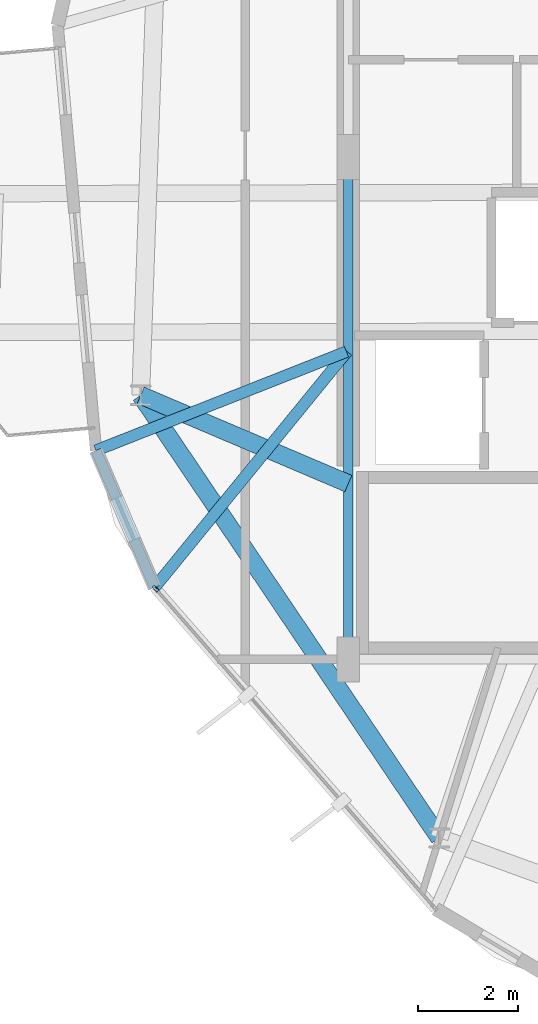
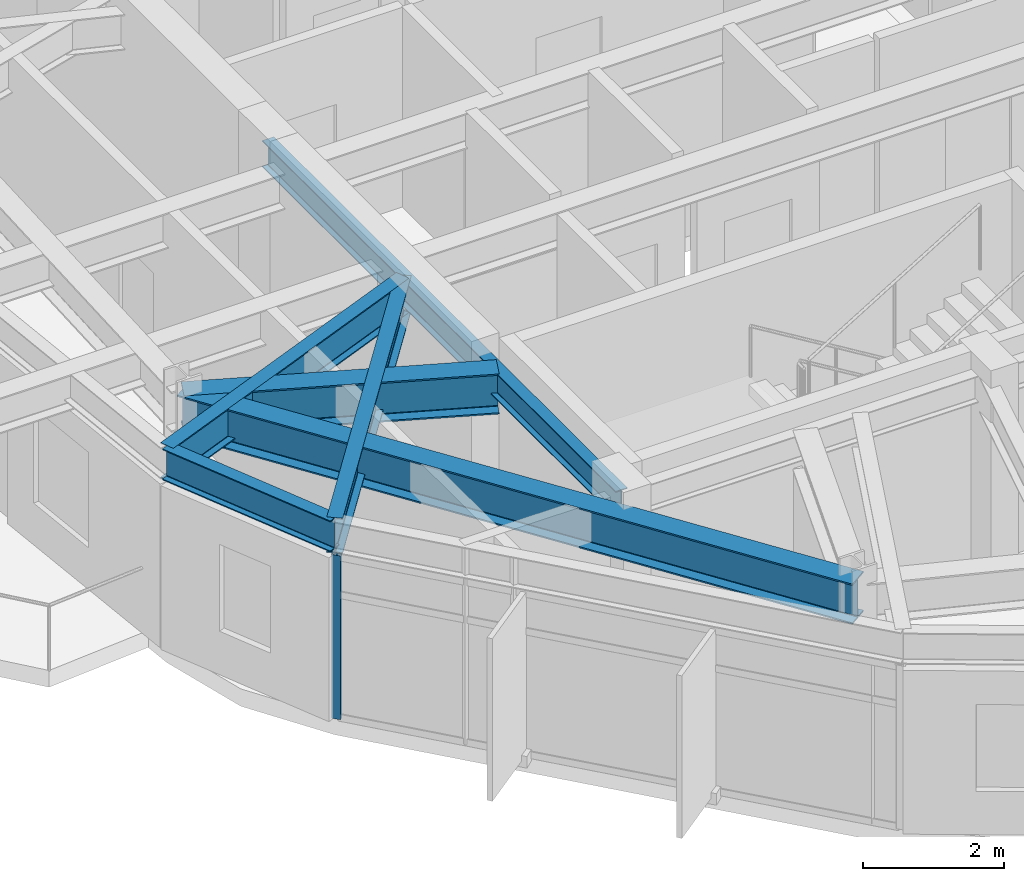
# One storey, part 3 of 23: 6 beams, 1 member, 1 element without a shape of its own.
"""IFC4 building model written with IfcOpenShell, lengths in metres."""

from ifc_helpers import new_model, si_unit, direction, frame, origin, origin_2d, place, context, subcontext, project, spatial, hollow_rectangle, i_section, extrude, material, layer, layer_set, material_profile, profile_set, type_object, element, aggregate, save


model = new_model("IFC4")

# Units and contexts
model_context = context("Model", 3, precision=1e-05, world=origin(), true_north=direction((0.0, 1.0)))
body_context = subcontext(model_context, "Body", "Model", "MODEL_VIEW")
ifc_project = project(units=[si_unit("LENGTHUNIT", "METRE"), si_unit("AREAUNIT", "SQUARE_METRE"), si_unit("VOLUMEUNIT", "CUBIC_METRE"), si_unit("PLANEANGLEUNIT", "RADIAN"), si_unit("MASSUNIT", "GRAM", prefix="KILO")], contexts=[model_context])

# Site, building, storey
site_placement = place(None, origin())
site = spatial("IfcSite", under=ifc_project, at=site_placement, CompositionType="ELEMENT")
building_placement = place(site_placement, origin())
building = spatial("IfcBuilding", under=site, at=building_placement, Name="Soratama Intermodal Tower", CompositionType="ELEMENT")
storey_placement = place(building_placement, frame((0.0, 0.0, 250.0)))
storey = spatial("IfcBuildingStorey", under=building, at=storey_placement, Name="L63", CompositionType="ELEMENT", Elevation=250.0)

# Beams
ifc_material_1 = material(Name="Structural steel ASTM A992 Grade 50", Category="steel")
ifc_material_profile_1 = material_profile(ifc_material_1, i_section(OverallWidth=0.19091796875, OverallDepth=0.4599609375, WebThickness=0.010009765625, FlangeThickness=0.01611328125, FilletRadius=0.010986328125, at=origin_2d()), Name="W18X55")
ifc_profile_set_1 = profile_set([ifc_material_profile_1], Name="Structural steel ASTM A992 Grade 50")
beam_type_1 = type_object("IfcBeamType", Name="BM-FLR-W18X55", PredefinedType="BEAM", material=ifc_profile_set_1)
beam_1_placement = place(storey_placement, frame((32.60009765625, 25.0, 3.219970703125), z_axis=(0.0, -1.0, 0.0), x_axis=(1.0, 0.0, 0.0)))
element("IfcBeam", 1, at=beam_1_placement, inside=storey, type_object=beam_type_1, Name="BM-L63-CRING-09", PredefinedType="BEAM", context=body_context, shape_type="SweptSolid", body=[
    extrude(i_section(OverallWidth=0.19091796875, OverallDepth=0.4599609375, WebThickness=0.010009765625, FlangeThickness=0.01611328125, FilletRadius=0.010986328125, at=origin_2d()), origin(), (0.0, 0.0, 1.0), 10.0),
])
ifc_material_2 = material(Name="Structural steel ASTM A992 Grade 50", Category="steel")
ifc_material_profile_2 = material_profile(ifc_material_2, i_section(OverallWidth=0.35498046875, OverallDepth=0.695068359375, WebThickness=0.015380859375, FlangeThickness=0.02490234375, FilletRadius=0.01611328125, at=origin_2d()), Name="W27X146")
ifc_profile_set_2 = profile_set([ifc_material_profile_2], Name="Structural steel ASTM A992 Grade 50")
beam_type_2 = type_object("IfcBeamType", Name="BM-RING-W27X146", PredefinedType="BEAM", material=ifc_profile_set_2)
beam_2_placement = place(storey_placement, frame((28.466064453125, 20.259033203125, 3.1025390625), z_axis=(0.559218025165, -0.829020627204, 0.0), x_axis=(0.829020627204, 0.559218025165, 0.0)))
element("IfcBeam", 2, at=beam_2_placement, inside=storey, type_object=beam_type_2, Name="BM-L63-RING-06", PredefinedType="BEAM", context=body_context, shape_type="SweptSolid", body=[
    extrude(i_section(OverallWidth=0.35498046875, OverallDepth=0.695068359375, WebThickness=0.015380859375, FlangeThickness=0.02490234375, FilletRadius=0.01611328125, at=origin_2d()), origin(), (0.0, 0.0, 1.0), 10.630615234375),
])
beam_3_placement = place(storey_placement, frame((32.60009765625, 18.5, 3.1025390625), z_axis=(-0.920165049547, 0.391530690485, 0.0), x_axis=(-0.391530690485, -0.920165049547, 0.0)))
element("IfcBeam", 3, at=beam_3_placement, inside=storey, type_object=beam_type_2, Name="BM-L63-RAD-06", PredefinedType="BEAM", context=body_context, shape_type="SweptSolid", body=[
    extrude(i_section(OverallWidth=0.35498046875, OverallDepth=0.695068359375, WebThickness=0.015380859375, FlangeThickness=0.02490234375, FilletRadius=0.01611328125, at=origin_2d()), origin(), (0.0, 0.0, 1.0), 4.49267578125),
])
ifc_material_3 = material(Name="Structural steel ASTM A992 Grade 50", Category="steel")
ifc_material_profile_3 = material_profile(ifc_material_3, i_section(OverallWidth=0.2099609375, OverallDepth=0.537109375, WebThickness=0.010986328125, FlangeThickness=0.017333984375, FilletRadius=0.012939453125, at=origin_2d()), Name="W21X68")
ifc_profile_set_3 = profile_set([ifc_material_profile_3], Name="Structural steel ASTM A992 Grade 50")
beam_type_3 = type_object("IfcBeamType", Name="BM-SPN-W21X68", PredefinedType="SPANDREL", material=ifc_profile_set_3)
beam_4_placement = place(storey_placement, frame((27.574951171875, 19.158935546875, 3.181396484375), z_axis=(0.393422567073, -0.919357756109, 0.0), x_axis=(0.919357756109, 0.393422567073, 0.0)))
element("IfcBeam", 4, at=beam_4_placement, inside=storey, type_object=beam_type_3, Name="BS-L63-CRN04", PredefinedType="SPANDREL", context=body_context, shape_type="SweptSolid", body=[
    extrude(i_section(OverallWidth=0.2099609375, OverallDepth=0.537109375, WebThickness=0.010986328125, FlangeThickness=0.017333984375, FilletRadius=0.012939453125, at=origin_2d()), origin(), (0.0, 0.0, 1.0), 2.96630859375),
])
ifc_material_4 = material(Name="Structural steel ASTM A992 Grade 50", Category="steel")
ifc_material_profile_4 = material_profile(ifc_material_4, i_section(OverallWidth=0.22900390625, OverallDepth=0.612060546875, WebThickness=0.011962890625, FlangeThickness=0.01953125, FilletRadius=0.012939453125, at=origin_2d()), Name="W24X84")
ifc_profile_set_4 = profile_set([ifc_material_profile_4], Name="Structural steel ASTM A992 Grade 50")
beam_type_4 = type_object("IfcBeamType", Name="BM-TIE-W24X84", PredefinedType="BEAM", material=ifc_profile_set_4)
beam_5_placement = place(storey_placement, frame((32.56298828125, 21.126953125, 3.14404296875), z_axis=(-0.930215360305, -0.367014146122, 0.0), x_axis=(0.367014146122, -0.930215360305, 0.0)))
element("IfcBeam", 5, at=beam_5_placement, inside=storey, type_object=beam_type_4, Name="BM-L63-TIE1-04", PredefinedType="BEAM", context=body_context, shape_type="SweptSolid", body=[
    extrude(i_section(OverallWidth=0.22900390625, OverallDepth=0.612060546875, WebThickness=0.011962890625, FlangeThickness=0.01953125, FilletRadius=0.012939453125, at=origin_2d()), origin(), (0.0, 0.0, 1.0), 5.3623046875),
])
beam_6_placement = place(storey_placement, frame((32.574951171875, 21.1298828125, 3.14404296875), z_axis=(-0.632169352763, -0.774830245555, 0.0), x_axis=(0.774830245555, -0.632169352763, 0.0)))
element("IfcBeam", 6, at=beam_6_placement, inside=storey, type_object=beam_type_4, Name="BM-L63-TIE0-05", PredefinedType="BEAM", context=body_context, shape_type="SweptSolid", body=[
    extrude(i_section(OverallWidth=0.22900390625, OverallDepth=0.612060546875, WebThickness=0.011962890625, FlangeThickness=0.01953125, FilletRadius=0.012939453125, at=origin_2d()), origin(), (0.0, 0.0, 1.0), 6.063232421875),
])

# Curtain wall, member
ifc_material_5 = material(Name="Double-glazed aluminium curtain wall", Category="aluminium")
ifc_layer = layer(ifc_material_5, 0.159912109375)
ifc_layer_set = layer_set([ifc_layer], Name="Double-glazed aluminium curtain wall")
curtain_wall_type = type_object("IfcCurtainWallType", Name="CW-SYS-5", PredefinedType="NOTDEFINED", material=ifc_layer_set)
curtain_wall_placement = place(storey_placement, origin())
curtain_wall = element("IfcCurtainWall", 7, at=curtain_wall_placement, inside=storey, type_object=curtain_wall_type, Name="L63 Faceted Curtain Wall F05", PredefinedType="NOTDEFINED")
ifc_material_6 = material(Name="Anodised aluminium AA 6063-T6", Category="aluminium")
ifc_material_profile_5 = material_profile(ifc_material_6, hollow_rectangle(XDim=0.06494140625, YDim=0.139892578125, WallThickness=0.0048828125, InnerFilletRadius=0.0048828125, OuterFilletRadius=0.010009765625, at=origin_2d()), Name="CWM140X65X5")
ifc_profile_set_5 = profile_set([ifc_material_profile_5], Name="Anodised aluminium AA 6063-T6")
member_type = type_object("IfcMemberType", Name="MT-CWM-5", PredefinedType="MULLION", material=ifc_profile_set_5)
member_placement = place(storey_placement, frame((28.76123046875, 16.4091796875, 0.0), z_axis=(0.0, 0.0, 1.0), x_axis=(0.752879070103, 0.658158875805, 0.0)))
member = element("IfcMember", 8, at=member_placement, type_object=member_type, Name="CW-5 mullion 1", PredefinedType="MULLION", context=body_context, shape_type="SweptSolid", body=[
    extrude(hollow_rectangle(XDim=0.06494140625, YDim=0.139892578125, WallThickness=0.0048828125, InnerFilletRadius=0.0048828125, OuterFilletRadius=0.010009765625, at=origin_2d()), origin(), (0.0, 0.0, 1.0), 2.8291015625),
])
aggregate(curtain_wall, [member])

save(model, "model.ifc")
